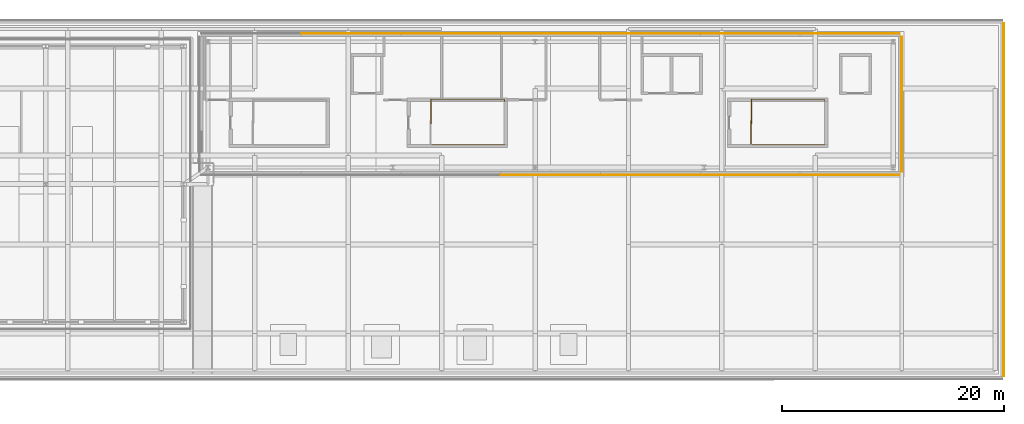
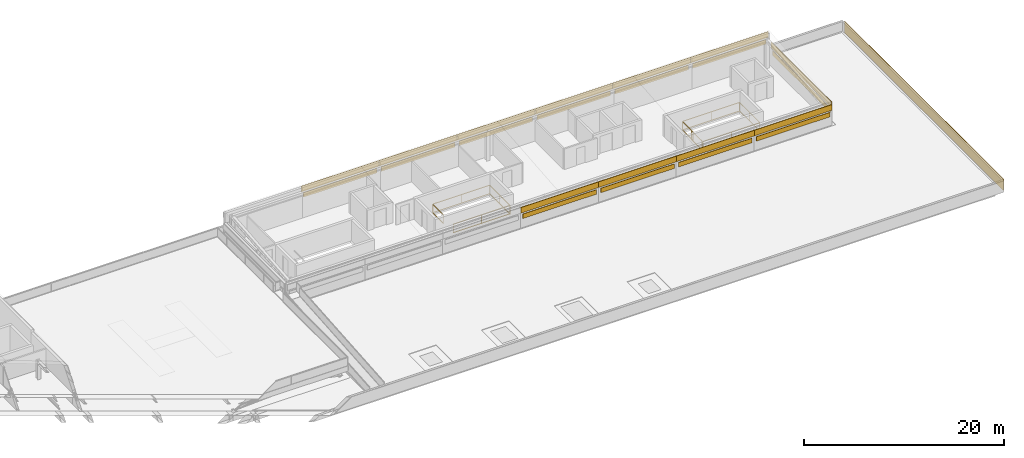
# One storey, part 14 of 14: 12 coverings, 11 shading devices, 5 railings.
"""IFC4 building model written with IfcOpenShell, lengths in metres."""

from ifc_helpers import new_model, si_unit, direction, frame, origin, origin_2d, place, context, subcontext, project, spatial, rectangle, extrude, material, layer, layer_set, type_object, element, save


model = new_model("IFC4")

# Units and contexts
model_context = context("Model", 3, precision=1e-05, world=origin(), true_north=direction((0.0, 1.0)))
body_context = subcontext(model_context, "Body", "Model", "MODEL_VIEW")
ifc_project = project(units=[si_unit("LENGTHUNIT", "METRE"), si_unit("AREAUNIT", "SQUARE_METRE"), si_unit("VOLUMEUNIT", "CUBIC_METRE"), si_unit("PLANEANGLEUNIT", "RADIAN"), si_unit("MASSUNIT", "GRAM", prefix="KILO")], contexts=[model_context])

# Site, building, storey
site_placement = place(None, origin())
site = spatial("IfcSite", under=ifc_project, at=site_placement, CompositionType="ELEMENT")
building_placement = place(site_placement, origin())
building = spatial("IfcBuilding", under=site, at=building_placement, Name="Selatvlak General Hospital", CompositionType="ELEMENT")
storey_placement = place(building_placement, frame((0.0, 0.0, 39.449951171875)))
storey = spatial("IfcBuildingStorey", under=building, at=storey_placement, Name="RF", CompositionType="ELEMENT", Elevation=39.449951171875)

# Coverings
ifc_material_1 = material(Name="White Bauhaus fair-faced cladding panel")
ifc_layer_1 = layer(ifc_material_1, 0.054931640625, Name="White Bauhaus fair-faced cladding panel")
ifc_layer_set_1 = layer_set([ifc_layer_1], Name="White Bauhaus fair-faced cladding panel")
covering_type = type_object("IfcCoveringType", Name="COV-WHT1", PredefinedType="CLADDING", material=ifc_layer_set_1)
covering_1_placement = place(storey_placement, frame((116.60009765625, 106.235107421875, 1.89013671875), z_axis=(0.0, 0.0, 1.0), x_axis=(1.0, 0.0, 0.0)))
element("IfcCovering", 1, at=covering_1_placement, inside=storey, type_object=covering_type, Name="RF RF penthouse white crown fascia 0600", PredefinedType="CLADDING", context=body_context, shape_type="SweptSolid", body=[
    extrude(rectangle(XDim=8.971923828125, YDim=0.054931640625, at=origin_2d()), origin(), (0.0, 0.0, 1.0), 0.699951171875),
])
covering_2_placement = place(storey_placement, frame((125.571044921875, 106.235107421875, 1.89013671875), z_axis=(0.0, 0.0, 1.0), x_axis=(1.0, 0.0, 0.0)))
element("IfcCovering", 2, at=covering_2_placement, inside=storey, type_object=covering_type, Name="RF RF penthouse white crown fascia 0601", PredefinedType="CLADDING", context=body_context, shape_type="SweptSolid", body=[
    extrude(rectangle(XDim=8.970947265625, YDim=0.054931640625, at=origin_2d()), origin(), (0.0, 0.0, 1.0), 0.699951171875),
])
covering_3_placement = place(storey_placement, frame((134.54296875, 106.235107421875, 1.89013671875), z_axis=(0.0, 0.0, 1.0), x_axis=(1.0, 0.0, 0.0)))
element("IfcCovering", 3, at=covering_3_placement, inside=storey, type_object=covering_type, Name="RF RF penthouse white crown fascia 0602", PredefinedType="CLADDING", context=body_context, shape_type="SweptSolid", body=[
    extrude(rectangle(XDim=8.971923828125, YDim=0.054931640625, at=origin_2d()), origin(), (0.0, 0.0, 1.0), 0.699951171875),
])
covering_4_placement = place(storey_placement, frame((143.513916015625, 106.235107421875, 1.89013671875), z_axis=(0.0, 0.0, 1.0), x_axis=(1.0, 0.0, 0.0)))
element("IfcCovering", 4, at=covering_4_placement, inside=storey, type_object=covering_type, Name="RF RF penthouse white crown fascia 0603", PredefinedType="CLADDING", context=body_context, shape_type="SweptSolid", body=[
    extrude(rectangle(XDim=8.970947265625, YDim=0.054931640625, at=origin_2d()), origin(), (0.0, 0.0, 1.0), 0.699951171875),
])
covering_5_placement = place(storey_placement, frame((148.1650390625, 112.60009765625, 1.908203125), z_axis=(0.0, 0.0, 1.0), x_axis=(0.0, 1.0, 0.0)))
element("IfcCovering", 5, at=covering_5_placement, inside=storey, type_object=covering_type, Name="RF RF penthouse white crown fascia 0604", PredefinedType="CLADDING", context=body_context, shape_type="SweptSolid", body=[
    extrude(rectangle(XDim=12.115966796875, YDim=0.054931640625, at=origin_2d()), origin(), (0.0, 0.0, 1.0), 0.699951171875),
])
covering_6_placement = place(storey_placement, frame((143.513916015625, 118.965087890625, 3.0400390625), z_axis=(0.0, 0.0, 1.0), x_axis=(-1.0, 0.0, 0.0)))
element("IfcCovering", 6, at=covering_6_placement, inside=storey, type_object=covering_type, Name="RF RF penthouse white crown fascia 0605", PredefinedType="CLADDING", context=body_context, shape_type="SweptSolid", body=[
    extrude(rectangle(XDim=8.970947265625, YDim=0.054931640625, at=origin_2d()), origin(), (0.0, 0.0, 1.0), 0.699951171875),
])
covering_7_placement = place(storey_placement, frame((134.54296875, 118.965087890625, 3.0400390625), z_axis=(0.0, 0.0, 1.0), x_axis=(-1.0, 0.0, 0.0)))
element("IfcCovering", 7, at=covering_7_placement, inside=storey, type_object=covering_type, Name="RF RF penthouse white crown fascia 0606", PredefinedType="CLADDING", context=body_context, shape_type="SweptSolid", body=[
    extrude(rectangle(XDim=8.971923828125, YDim=0.054931640625, at=origin_2d()), origin(), (0.0, 0.0, 1.0), 0.699951171875),
])
covering_8_placement = place(storey_placement, frame((125.571044921875, 118.965087890625, 3.0400390625), z_axis=(0.0, 0.0, 1.0), x_axis=(-1.0, 0.0, 0.0)))
element("IfcCovering", 8, at=covering_8_placement, inside=storey, type_object=covering_type, Name="RF RF penthouse white crown fascia 0607", PredefinedType="CLADDING", context=body_context, shape_type="SweptSolid", body=[
    extrude(rectangle(XDim=8.970947265625, YDim=0.054931640625, at=origin_2d()), origin(), (0.0, 0.0, 1.0), 0.699951171875),
])
covering_9_placement = place(storey_placement, frame((116.60009765625, 118.965087890625, 3.0400390625), z_axis=(0.0, 0.0, 1.0), x_axis=(-1.0, 0.0, 0.0)))
element("IfcCovering", 9, at=covering_9_placement, inside=storey, type_object=covering_type, Name="RF RF penthouse white crown fascia 0608", PredefinedType="CLADDING", context=body_context, shape_type="SweptSolid", body=[
    extrude(rectangle(XDim=8.971923828125, YDim=0.054931640625, at=origin_2d()), origin(), (0.0, 0.0, 1.0), 0.699951171875),
])
covering_10_placement = place(storey_placement, frame((107.62890625, 118.965087890625, 3.0400390625), z_axis=(0.0, 0.0, 1.0), x_axis=(-1.0, 0.0, 0.0)))
element("IfcCovering", 10, at=covering_10_placement, inside=storey, type_object=covering_type, Name="RF RF penthouse white crown fascia 0609", PredefinedType="CLADDING", context=body_context, shape_type="SweptSolid", body=[
    extrude(rectangle(XDim=8.970947265625, YDim=0.054931640625, at=origin_2d()), origin(), (0.0, 0.0, 1.0), 0.699951171875),
])
covering_11_placement = place(storey_placement, frame((98.656982421875, 118.965087890625, 3.0400390625), z_axis=(0.0, 0.0, 1.0), x_axis=(-1.0, 0.0, 0.0)))
element("IfcCovering", 11, at=covering_11_placement, inside=storey, type_object=covering_type, Name="RF RF penthouse white crown fascia 0610", PredefinedType="CLADDING", context=body_context, shape_type="SweptSolid", body=[
    extrude(rectangle(XDim=8.971923828125, YDim=0.054931640625, at=origin_2d()), origin(), (0.0, 0.0, 1.0), 0.699951171875),
])
covering_12_placement = place(storey_placement, frame((157.324951171875, 104.0, -0.169921875), z_axis=(0.0, 0.0, 1.0), x_axis=(0.0, -1.0, 0.0)))
element("IfcCovering", 12, at=covering_12_placement, inside=storey, type_object=covering_type, Name="RF Roof parapet white Bauhaus coping 0655", PredefinedType="CLADDING", context=body_context, shape_type="SweptSolid", body=[
    extrude(rectangle(XDim=31.763916015625, YDim=0.054931640625, at=origin_2d()), origin(), (0.0, 0.0, 1.0), 1.3701171875),
])

# Railings
ifc_material_2 = material(Name="Stainless steel 316 stair guard", Category="steel")
railing_type = type_object("IfcRailingType", Name="RAIL-STG", PredefinedType="GUARDRAIL", material=ifc_material_2)
railing_1_placement = place(storey_placement, frame((105.905029296875, 112.989990234375, 0.0)))
element("IfcRailing", 13, at=railing_1_placement, inside=storey, type_object=railing_type, Name="ST-03 top landing well guard on RF", PredefinedType="GUARDRAIL", context=body_context, shape_type="SweptSolid", body=[
    extrude(rectangle(XDim=0.068115234375, YDim=0.068115234375, at=origin_2d()), frame((0.0029296875, 0.0, 1.0859375), z_axis=(1.0, 0.0, 0.0), x_axis=(0.0, 1.0, 0.0)), (0.0, 0.0, 1.0), 6.5390625),
    extrude(rectangle(XDim=0.068115234375, YDim=0.068115234375, at=origin_2d()), frame((0.0029296875, 0.0, 0.049072265625), z_axis=(1.0, 0.0, 0.0), x_axis=(0.0, 1.0, 0.0)), (0.0, 0.0, 1.0), 6.5390625),
    extrude(rectangle(XDim=0.068115234375, YDim=0.068115234375, at=origin_2d()), frame((6.544921875, -0.0029296875, 1.0859375), z_axis=(0.0, -1.0, 0.0), x_axis=(1.0, 0.0, 0.0)), (0.0, 0.0, 1.0), 4.0341796875),
    extrude(rectangle(XDim=0.068115234375, YDim=0.068115234375, at=origin_2d()), frame((6.544921875, -0.0029296875, 0.049072265625), z_axis=(0.0, -1.0, 0.0), x_axis=(1.0, 0.0, 0.0)), (0.0, 0.0, 1.0), 4.0341796875),
    extrude(rectangle(XDim=0.068115234375, YDim=0.068115234375, at=origin_2d()), frame((6.5419921875, -4.0400390625, 1.0859375), z_axis=(-1.0, 0.0, 0.0), x_axis=(0.0, -1.0, 0.0)), (0.0, 0.0, 1.0), 6.5390625),
    extrude(rectangle(XDim=0.068115234375, YDim=0.068115234375, at=origin_2d()), frame((6.5419921875, -4.0400390625, 0.049072265625), z_axis=(-1.0, 0.0, 0.0), x_axis=(0.0, -1.0, 0.0)), (0.0, 0.0, 1.0), 6.5390625),
    extrude(rectangle(XDim=0.055908203125, YDim=0.055908203125, at=origin_2d()), origin(), (0.0, 0.0, 1.0), 1.049072265625),
    extrude(rectangle(XDim=0.055908203125, YDim=0.055908203125, at=origin_2d()), frame((3.2724609375, 0.0, 0.0)), (0.0, 0.0, 1.0), 1.049072265625),
    extrude(rectangle(XDim=0.055908203125, YDim=0.055908203125, at=origin_2d()), frame((6.544921875, 0.0, 0.0)), (0.0, 0.0, 1.0), 1.049072265625),
    extrude(rectangle(XDim=0.055908203125, YDim=0.055908203125, at=origin_2d()), frame((6.544921875, -2.02001953125, 0.0)), (0.0, 0.0, 1.0), 1.049072265625),
    extrude(rectangle(XDim=0.055908203125, YDim=0.055908203125, at=origin_2d()), frame((6.544921875, -4.0400390625, 0.0)), (0.0, 0.0, 1.0), 1.049072265625),
    extrude(rectangle(XDim=0.055908203125, YDim=0.055908203125, at=origin_2d()), frame((3.2724609375, -4.0400390625, 0.0)), (0.0, 0.0, 1.0), 1.049072265625),
    extrude(rectangle(XDim=0.055908203125, YDim=0.055908203125, at=origin_2d()), frame((0.0, -4.0400390625, 0.0)), (0.0, 0.0, 1.0), 1.049072265625),
])
railing_2_placement = place(storey_placement, frame((105.85498046875, 110.860107421875, 0.0)))
element("IfcRailing", 14, at=railing_2_placement, inside=storey, type_object=railing_type, Name="ST-03 top landing west slot guard on RF", PredefinedType="GUARDRAIL", context=body_context, shape_type="SweptSolid", body=[
    extrude(rectangle(XDim=0.068115234375, YDim=0.068115234375, at=origin_2d()), frame((0.0, 0.0029296875, 1.0859375), z_axis=(0.0, 1.0, 0.0), x_axis=(-1.0, 0.0, 0.0)), (0.0, 0.0, 1.0), 2.1240234375),
    extrude(rectangle(XDim=0.068115234375, YDim=0.068115234375, at=origin_2d()), frame((0.0, 0.0029296875, 0.049072265625), z_axis=(0.0, 1.0, 0.0), x_axis=(-1.0, 0.0, 0.0)), (0.0, 0.0, 1.0), 2.1240234375),
    extrude(rectangle(XDim=0.055908203125, YDim=0.055908203125, at=origin_2d()), origin(), (0.0, 0.0, 1.0), 1.049072265625),
    extrude(rectangle(XDim=0.055908203125, YDim=0.055908203125, at=origin_2d()), frame((0.0, 2.1298828125, 0.0)), (0.0, 0.0, 1.0), 1.049072265625),
])
railing_3_placement = place(storey_placement, frame((134.610107421875, 109.0, 0.0)))
element("IfcRailing", 15, at=railing_3_placement, inside=storey, type_object=railing_type, Name="RF ST-04 top well guard 1", PredefinedType="GUARDRAIL", context=body_context, shape_type="SweptSolid", body=[
    extrude(rectangle(XDim=0.068115234375, YDim=0.068115234375, at=origin_2d()), frame((0.0, 0.0029296875, 1.11572265625), z_axis=(0.0, 1.0, 0.0), x_axis=(-1.0, 0.0, 0.0)), (0.0, 0.0, 1.0), 2.07421875),
    extrude(rectangle(XDim=0.068115234375, YDim=0.068115234375, at=origin_2d()), frame((0.0, 0.0029296875, 0.049072265625), z_axis=(0.0, 1.0, 0.0), x_axis=(-1.0, 0.0, 0.0)), (0.0, 0.0, 1.0), 2.07421875),
    extrude(rectangle(XDim=0.055908203125, YDim=0.055908203125, at=origin_2d()), origin(), (0.0, 0.0, 1.0), 1.078857421875),
    extrude(rectangle(XDim=0.055908203125, YDim=0.055908203125, at=origin_2d()), frame((0.0, 2.080078125, 0.0)), (0.0, 0.0, 1.0), 1.078857421875),
])
railing_4_placement = place(storey_placement, frame((134.705078125, 112.989990234375, 0.0)))
element("IfcRailing", 16, at=railing_4_placement, inside=storey, type_object=railing_type, Name="ST-04 top landing well guard on RF", PredefinedType="GUARDRAIL", context=body_context, shape_type="SweptSolid", body=[
    extrude(rectangle(XDim=0.068115234375, YDim=0.068115234375, at=origin_2d()), frame((0.0029296875, 0.0, 1.0859375), z_axis=(1.0, 0.0, 0.0), x_axis=(0.0, 1.0, 0.0)), (0.0, 0.0, 1.0), 6.5390625),
    extrude(rectangle(XDim=0.068115234375, YDim=0.068115234375, at=origin_2d()), frame((0.0029296875, 0.0, 0.049072265625), z_axis=(1.0, 0.0, 0.0), x_axis=(0.0, 1.0, 0.0)), (0.0, 0.0, 1.0), 6.5390625),
    extrude(rectangle(XDim=0.068115234375, YDim=0.068115234375, at=origin_2d()), frame((6.544921875, -0.0029296875, 1.0859375), z_axis=(0.0, -1.0, 0.0), x_axis=(1.0, 0.0, 0.0)), (0.0, 0.0, 1.0), 4.0341796875),
    extrude(rectangle(XDim=0.068115234375, YDim=0.068115234375, at=origin_2d()), frame((6.544921875, -0.0029296875, 0.049072265625), z_axis=(0.0, -1.0, 0.0), x_axis=(1.0, 0.0, 0.0)), (0.0, 0.0, 1.0), 4.0341796875),
    extrude(rectangle(XDim=0.068115234375, YDim=0.068115234375, at=origin_2d()), frame((6.5419921875, -4.0400390625, 1.0859375), z_axis=(-1.0, 0.0, 0.0), x_axis=(0.0, -1.0, 0.0)), (0.0, 0.0, 1.0), 6.5390625),
    extrude(rectangle(XDim=0.068115234375, YDim=0.068115234375, at=origin_2d()), frame((6.5419921875, -4.0400390625, 0.049072265625), z_axis=(-1.0, 0.0, 0.0), x_axis=(0.0, -1.0, 0.0)), (0.0, 0.0, 1.0), 6.5390625),
    extrude(rectangle(XDim=0.055908203125, YDim=0.055908203125, at=origin_2d()), origin(), (0.0, 0.0, 1.0), 1.049072265625),
    extrude(rectangle(XDim=0.055908203125, YDim=0.055908203125, at=origin_2d()), frame((3.2724609375, 0.0, 0.0)), (0.0, 0.0, 1.0), 1.049072265625),
    extrude(rectangle(XDim=0.055908203125, YDim=0.055908203125, at=origin_2d()), frame((6.544921875, 0.0, 0.0)), (0.0, 0.0, 1.0), 1.049072265625),
    extrude(rectangle(XDim=0.055908203125, YDim=0.055908203125, at=origin_2d()), frame((6.544921875, -2.02001953125, 0.0)), (0.0, 0.0, 1.0), 1.049072265625),
    extrude(rectangle(XDim=0.055908203125, YDim=0.055908203125, at=origin_2d()), frame((6.544921875, -4.0400390625, 0.0)), (0.0, 0.0, 1.0), 1.049072265625),
    extrude(rectangle(XDim=0.055908203125, YDim=0.055908203125, at=origin_2d()), frame((3.2724609375, -4.0400390625, 0.0)), (0.0, 0.0, 1.0), 1.049072265625),
    extrude(rectangle(XDim=0.055908203125, YDim=0.055908203125, at=origin_2d()), frame((0.0, -4.0400390625, 0.0)), (0.0, 0.0, 1.0), 1.049072265625),
])
railing_5_placement = place(storey_placement, frame((134.655029296875, 110.860107421875, 0.0)))
element("IfcRailing", 17, at=railing_5_placement, inside=storey, type_object=railing_type, Name="ST-04 top landing west slot guard on RF", PredefinedType="GUARDRAIL", context=body_context, shape_type="SweptSolid", body=[
    extrude(rectangle(XDim=0.068115234375, YDim=0.068115234375, at=origin_2d()), frame((0.0, 0.0029296875, 1.0859375), z_axis=(0.0, 1.0, 0.0), x_axis=(-1.0, 0.0, 0.0)), (0.0, 0.0, 1.0), 2.1240234375),
    extrude(rectangle(XDim=0.068115234375, YDim=0.068115234375, at=origin_2d()), frame((0.0, 0.0029296875, 0.049072265625), z_axis=(0.0, 1.0, 0.0), x_axis=(-1.0, 0.0, 0.0)), (0.0, 0.0, 1.0), 2.1240234375),
    extrude(rectangle(XDim=0.055908203125, YDim=0.055908203125, at=origin_2d()), origin(), (0.0, 0.0, 1.0), 1.049072265625),
    extrude(rectangle(XDim=0.055908203125, YDim=0.055908203125, at=origin_2d()), frame((0.0, 2.1298828125, 0.0)), (0.0, 0.0, 1.0), 1.049072265625),
])

# Shading devices
ifc_material_3 = material(Name="Anodised aluminium acoustic louvre", Category="aluminium")
ifc_layer_2 = layer(ifc_material_3, 0.050048828125, Name="Anodised aluminium acoustic louvre", Category="aluminium")
ifc_layer_set_2 = layer_set([ifc_layer_2], Name="Anodised aluminium acoustic louvre")
shading_device_type = type_object("IfcShadingDeviceType", Name="SHD-JAL1", PredefinedType="JALOUSIE", material=ifc_layer_set_2)
shading_device_1_placement = place(storey_placement, frame((116.60009765625, 106.235107421875, 1.1650390625), z_axis=(0.0, 0.0, 1.0), x_axis=(1.0, 0.0, 0.0)))
element("IfcShadingDevice", 18, at=shading_device_1_placement, inside=storey, type_object=shading_device_type, Name="RF penthouse acoustic louvre EW-RF-PENT-E-S4", PredefinedType="JALOUSIE", context=body_context, shape_type="SweptSolid", body=[
    extrude(rectangle(XDim=8.471923828125, YDim=0.050048828125, at=origin_2d()), origin(), (0.0, 0.0, 1.0), 0.550048828125),
])
shading_device_2_placement = place(storey_placement, frame((125.571044921875, 106.235107421875, 1.1650390625), z_axis=(0.0, 0.0, 1.0), x_axis=(1.0, 0.0, 0.0)))
element("IfcShadingDevice", 19, at=shading_device_2_placement, inside=storey, type_object=shading_device_type, Name="RF penthouse acoustic louvre EW-RF-PENT-E-S5", PredefinedType="JALOUSIE", context=body_context, shape_type="SweptSolid", body=[
    extrude(rectangle(XDim=8.470947265625, YDim=0.050048828125, at=origin_2d()), origin(), (0.0, 0.0, 1.0), 0.550048828125),
])
shading_device_3_placement = place(storey_placement, frame((134.54296875, 106.235107421875, 1.1650390625), z_axis=(0.0, 0.0, 1.0), x_axis=(1.0, 0.0, 0.0)))
element("IfcShadingDevice", 20, at=shading_device_3_placement, inside=storey, type_object=shading_device_type, Name="RF penthouse acoustic louvre EW-RF-PENT-E-S6", PredefinedType="JALOUSIE", context=body_context, shape_type="SweptSolid", body=[
    extrude(rectangle(XDim=8.471923828125, YDim=0.050048828125, at=origin_2d()), origin(), (0.0, 0.0, 1.0), 0.550048828125),
])
shading_device_4_placement = place(storey_placement, frame((143.513916015625, 106.235107421875, 1.1650390625), z_axis=(0.0, 0.0, 1.0), x_axis=(1.0, 0.0, 0.0)))
element("IfcShadingDevice", 21, at=shading_device_4_placement, inside=storey, type_object=shading_device_type, Name="RF penthouse acoustic louvre EW-RF-PENT-E-S7", PredefinedType="JALOUSIE", context=body_context, shape_type="SweptSolid", body=[
    extrude(rectangle(XDim=8.470947265625, YDim=0.050048828125, at=origin_2d()), origin(), (0.0, 0.0, 1.0), 0.550048828125),
])
shading_device_5_placement = place(storey_placement, frame((148.1650390625, 112.60009765625, 1.18310546875), z_axis=(0.0, 0.0, 1.0), x_axis=(0.0, 1.0, 0.0)))
element("IfcShadingDevice", 22, at=shading_device_5_placement, inside=storey, type_object=shading_device_type, Name="RF penthouse acoustic louvre EW-RF-PENT-E-E1", PredefinedType="JALOUSIE", context=body_context, shape_type="SweptSolid", body=[
    extrude(rectangle(XDim=11.615966796875, YDim=0.050048828125, at=origin_2d()), origin(), (0.0, 0.0, 1.0), 0.550048828125),
])
shading_device_6_placement = place(storey_placement, frame((143.513916015625, 118.965087890625, 2.31494140625), z_axis=(0.0, 0.0, 1.0), x_axis=(-1.0, 0.0, 0.0)))
element("IfcShadingDevice", 23, at=shading_device_6_placement, inside=storey, type_object=shading_device_type, Name="RF penthouse acoustic louvre EW-RF-PENT-E-N1", PredefinedType="JALOUSIE", context=body_context, shape_type="SweptSolid", body=[
    extrude(rectangle(XDim=8.470947265625, YDim=0.050048828125, at=origin_2d()), origin(), (0.0, 0.0, 1.0), 0.550048828125),
])
shading_device_7_placement = place(storey_placement, frame((134.54296875, 118.965087890625, 2.31494140625), z_axis=(0.0, 0.0, 1.0), x_axis=(-1.0, 0.0, 0.0)))
element("IfcShadingDevice", 24, at=shading_device_7_placement, inside=storey, type_object=shading_device_type, Name="RF penthouse acoustic louvre EW-RF-PENT-E-N2", PredefinedType="JALOUSIE", context=body_context, shape_type="SweptSolid", body=[
    extrude(rectangle(XDim=8.471923828125, YDim=0.050048828125, at=origin_2d()), origin(), (0.0, 0.0, 1.0), 0.550048828125),
])
shading_device_8_placement = place(storey_placement, frame((125.571044921875, 118.965087890625, 2.31494140625), z_axis=(0.0, 0.0, 1.0), x_axis=(-1.0, 0.0, 0.0)))
element("IfcShadingDevice", 25, at=shading_device_8_placement, inside=storey, type_object=shading_device_type, Name="RF penthouse acoustic louvre EW-RF-PENT-E-N3", PredefinedType="JALOUSIE", context=body_context, shape_type="SweptSolid", body=[
    extrude(rectangle(XDim=8.470947265625, YDim=0.050048828125, at=origin_2d()), origin(), (0.0, 0.0, 1.0), 0.550048828125),
])
shading_device_9_placement = place(storey_placement, frame((116.60009765625, 118.965087890625, 2.31494140625), z_axis=(0.0, 0.0, 1.0), x_axis=(-1.0, 0.0, 0.0)))
element("IfcShadingDevice", 26, at=shading_device_9_placement, inside=storey, type_object=shading_device_type, Name="RF penthouse acoustic louvre EW-RF-PENT-E-N4", PredefinedType="JALOUSIE", context=body_context, shape_type="SweptSolid", body=[
    extrude(rectangle(XDim=8.471923828125, YDim=0.050048828125, at=origin_2d()), origin(), (0.0, 0.0, 1.0), 0.550048828125),
])
shading_device_10_placement = place(storey_placement, frame((107.62890625, 118.965087890625, 2.31494140625), z_axis=(0.0, 0.0, 1.0), x_axis=(-1.0, 0.0, 0.0)))
element("IfcShadingDevice", 27, at=shading_device_10_placement, inside=storey, type_object=shading_device_type, Name="RF penthouse acoustic louvre EW-RF-PENT-E-N5", PredefinedType="JALOUSIE", context=body_context, shape_type="SweptSolid", body=[
    extrude(rectangle(XDim=8.470947265625, YDim=0.050048828125, at=origin_2d()), origin(), (0.0, 0.0, 1.0), 0.550048828125),
])
shading_device_11_placement = place(storey_placement, frame((98.656982421875, 118.965087890625, 2.31494140625), z_axis=(0.0, 0.0, 1.0), x_axis=(-1.0, 0.0, 0.0)))
element("IfcShadingDevice", 28, at=shading_device_11_placement, inside=storey, type_object=shading_device_type, Name="RF penthouse acoustic louvre EW-RF-PENT-E-N6", PredefinedType="JALOUSIE", context=body_context, shape_type="SweptSolid", body=[
    extrude(rectangle(XDim=8.471923828125, YDim=0.050048828125, at=origin_2d()), origin(), (0.0, 0.0, 1.0), 0.550048828125),
])

save(model, "model.ifc")
